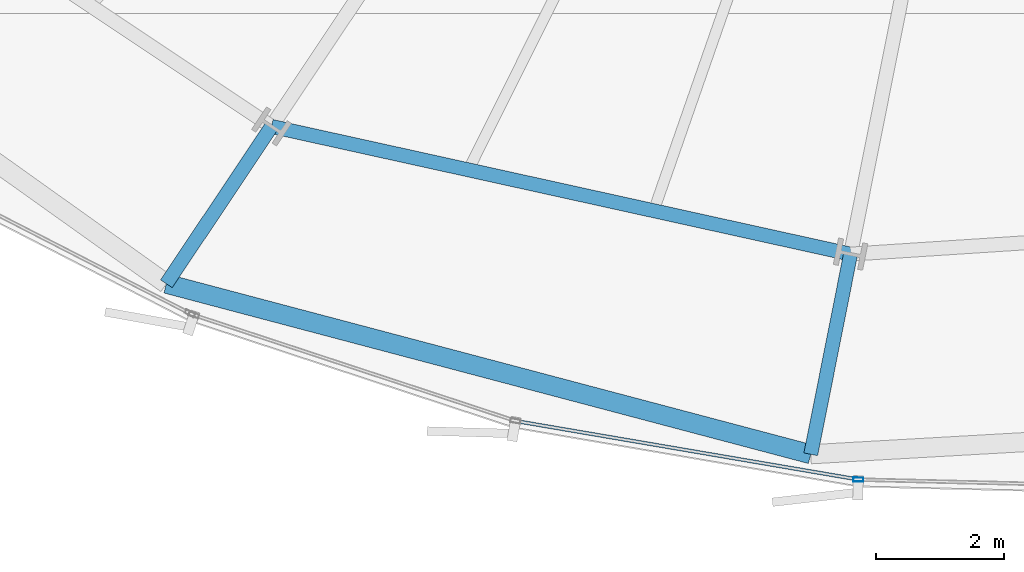
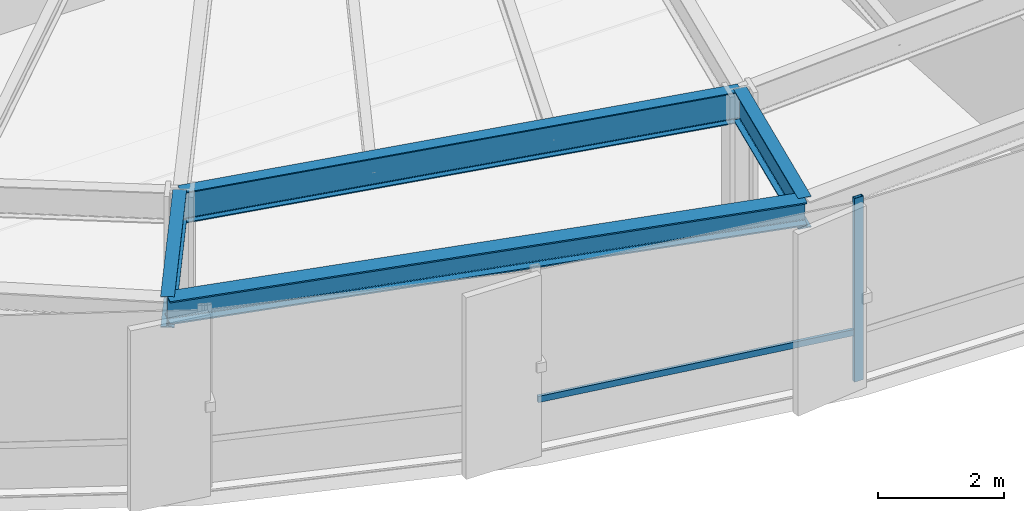
# One storey, part 5 of 39: 4 beams, 2 members, 1 element without a shape of its own.
"""IFC4 building model written with IfcOpenShell, lengths in metres."""

from ifc_helpers import new_model, si_unit, direction, frame, origin, origin_2d, place, context, subcontext, project, spatial, hollow_rectangle, i_section, extrude, source, transform, mapped, material, layer, layer_set, material_profile, profile_set, type_object, element, aggregate, save


model = new_model("IFC4")

# Units and contexts
model_context = context("Model", 3, precision=1e-05, world=origin(), true_north=direction((0.0, 1.0)))
body_context = subcontext(model_context, "Body", "Model", "MODEL_VIEW")
ifc_project = project(units=[si_unit("LENGTHUNIT", "METRE"), si_unit("AREAUNIT", "SQUARE_METRE"), si_unit("VOLUMEUNIT", "CUBIC_METRE"), si_unit("PLANEANGLEUNIT", "RADIAN"), si_unit("MASSUNIT", "GRAM", prefix="KILO"), si_unit("THERMODYNAMICTEMPERATUREUNIT", "KELVIN")], contexts=[model_context])

# Site, building, storey
site_placement = place(None, origin())
site = spatial("IfcSite", under=ifc_project, at=site_placement, CompositionType="ELEMENT")
building_placement = place(site_placement, origin())
building = spatial("IfcBuilding", under=site, at=building_placement, Name="Kethvar Cultural Tower", CompositionType="ELEMENT")
storey_placement = place(building_placement, frame((0.0, 0.0, 41.0)))
storey = spatial("IfcBuildingStorey", under=building, at=storey_placement, Name="L09", CompositionType="ELEMENT", Elevation=41.0)

# Beams
ifc_material_1 = material(Name="Steel S355J2", Category="steel")
ifc_material_profile_1 = material_profile(ifc_material_1, i_section(OverallWidth=0.219970703125, OverallDepth=0.60009765625, WebThickness=0.011962890625, FlangeThickness=0.01904296875, FilletRadius=0.02392578125, at=origin_2d()), Name="Steel S355J2 — IPE600")
ifc_profile_set_1 = profile_set([ifc_material_profile_1], Name="Steel S355J2 — IPE600")
beam_type_1 = type_object("IfcBeamType", Name="BM-IPE600", PredefinedType="BEAM", material=ifc_profile_set_1)
shared_shape_1 = source(origin(), body_context, "Body", "SweptSolid", [
    extrude(i_section(OverallWidth=0.219970703125, OverallDepth=0.60009765625, WebThickness=0.011962890625, FlangeThickness=0.01904296875, FilletRadius=0.02392578125, at=origin_2d()), origin(), (0.0, 0.0, 1.0), 3.2001953125),
])
beam_1_placement = place(storey_placement, frame((42.38330078125, 5.59619140625, 3.248046875), z_axis=(-0.195074368086, -0.980788453702, 0.0), x_axis=(0.980788453702, -0.195074368086, 0.0)))
element("IfcBeam", 1, at=beam_1_placement, inside=storey, type_object=beam_type_1, Name="L09 Perimeter Cantilever Beam RC-12", PredefinedType="BEAM", context=body_context, shape_type="MappedRepresentation", body=[
    mapped(shared_shape_1, transform((0.0, 0.0, 0.0), scale=1.0)),
])
shared_shape_2 = source(origin(), body_context, "Body", "SweptSolid", [
    extrude(i_section(OverallWidth=0.219970703125, OverallDepth=0.60009765625, WebThickness=0.011962890625, FlangeThickness=0.01904296875, FilletRadius=0.02392578125, at=origin_2d()), origin(), (0.0, 0.0, 1.0), 9.299560546875),
])
beam_2_placement = place(storey_placement, frame((33.302001953125, 7.598876953125, 3.248046875), z_axis=(0.976536034872, -0.21535406334, 0.0), x_axis=(0.21535406334, 0.976536034872, 0.0)))
element("IfcBeam", 2, at=beam_2_placement, inside=storey, type_object=beam_type_1, Name="L09 Column Ring Tie Beam CR-11", PredefinedType="BEAM", context=body_context, shape_type="MappedRepresentation", body=[
    mapped(shared_shape_2, transform((0.0, 0.0, 0.0), scale=1.0)),
])
shared_shape_3 = source(origin(), body_context, "Body", "SweptSolid", [
    extrude(i_section(OverallWidth=0.219970703125, OverallDepth=0.60009765625, WebThickness=0.011962890625, FlangeThickness=0.01904296875, FilletRadius=0.02392578125, at=origin_2d()), origin(), (0.0, 0.0, 1.0), 2.967529296875),
])
beam_3_placement = place(storey_placement, frame((33.302001953125, 7.598876953125, 3.248046875), z_axis=(-0.555592227103, -0.831454915905, 0.0), x_axis=(0.831454915905, -0.555592227103, 0.0)))
element("IfcBeam", 3, at=beam_3_placement, inside=storey, type_object=beam_type_1, Name="L09 Perimeter Cantilever Beam RC-11", PredefinedType="BEAM", context=body_context, shape_type="MappedRepresentation", body=[
    mapped(shared_shape_3, transform((0.0, 0.0, 0.0), scale=1.0)),
])
ifc_material_profile_2 = material_profile(ifc_material_1, i_section(OverallWidth=0.300048828125, OverallDepth=0.449951171875, WebThickness=0.013916015625, FlangeThickness=0.02587890625, FilletRadius=0.027099609375, at=origin_2d()), Name="Steel S355J2 — HEB450")
ifc_profile_set_2 = profile_set([ifc_material_profile_2], Name="Steel S355J2 — HEB450")
beam_type_2 = type_object("IfcBeamType", Name="BM-SP450", PredefinedType="SPANDREL", material=ifc_profile_set_2)
shared_shape_4 = source(origin(), body_context, "Body", "SweptSolid", [
    extrude(i_section(OverallWidth=0.300048828125, OverallDepth=0.449951171875, WebThickness=0.013916015625, FlangeThickness=0.02587890625, FilletRadius=0.027099609375, at=origin_2d()), origin(), (0.0, 0.0, 1.0), 10.45361328125),
])
beam_4_placement = place(storey_placement, frame((31.6533203125, 5.131591796875, 3.322998046875), z_axis=(0.966728163482, -0.255805898935, 0.0), x_axis=(0.255805898935, 0.966728163482, 0.0)))
element("IfcBeam", 4, at=beam_4_placement, inside=storey, type_object=beam_type_2, Name="L09 Perimeter Spandrel Beam SP-11", PredefinedType="SPANDREL", context=body_context, shape_type="MappedRepresentation", body=[
    mapped(shared_shape_4, transform((0.0, 0.0, 0.0), scale=1.0)),
])

# Curtain wall, members
ifc_material_2 = material(Name="Aluminium 6063-T6", Category="aluminium")
ifc_layer = layer(ifc_material_2, 0.179931640625, Name="Aluminium 6063-T6", Category="aluminium")
ifc_layer_set = layer_set([ifc_layer], Name="Aluminium 6063-T6 (180 mm)")
curtain_wall_type = type_object("IfcCurtainWallType", Name="CW-SYS-02-Z1", PredefinedType="NOTDEFINED", material=ifc_layer_set)
curtain_wall_placement = place(storey_placement, origin())
curtain_wall = element("IfcCurtainWall", 5, at=curtain_wall_placement, inside=storey, type_object=curtain_wall_type, Name="L09 Curtain Wall Run 05", PredefinedType="NOTDEFINED")
ifc_material_profile_3 = material_profile(ifc_material_2, hollow_rectangle(XDim=0.06494140625, YDim=0.159912109375, WallThickness=0.0048828125, at=origin_2d()), Name="Aluminium 6063-T6 — RHS160x65x5")
ifc_profile_set_3 = profile_set([ifc_material_profile_3], Name="Aluminium 6063-T6 — RHS160x65x5")
member_type_1 = type_object("IfcMemberType", Name="CW-SYS-02-Z1-MUL", PredefinedType="MULLION", material=ifc_profile_set_3)
shared_shape_5 = source(origin(), body_context, "Body", "SweptSolid", [
    extrude(hollow_rectangle(XDim=0.06494140625, YDim=0.159912109375, WallThickness=0.0048828125, at=origin_2d()), origin(), (0.0, 0.0, 1.0), 3.550048828125),
])
member_1_placement = place(storey_placement, frame((42.50390625, 2.060546875, 0.0), z_axis=(0.0, 0.0, 1.0), x_axis=(0.024484522367, 0.999700209145, 0.0)))
member_1 = element("IfcMember", 6, at=member_1_placement, type_object=member_type_1, Name="CW-L09-R05 Mullion 3", PredefinedType="MULLION", context=body_context, shape_type="MappedRepresentation", body=[
    mapped(shared_shape_5, transform((0.0, 0.0, 0.0), scale=1.0)),
])
ifc_material_profile_4 = material_profile(ifc_material_2, hollow_rectangle(XDim=0.054931640625, YDim=0.1201171875, WallThickness=0.00390625, at=origin_2d()), Name="Aluminium 6063-T6 — RHS120x55x4")
ifc_profile_set_4 = profile_set([ifc_material_profile_4], Name="Aluminium 6063-T6 — RHS120x55x4")
member_type_2 = type_object("IfcMemberType", Name="CW-SYS-02-Z1-TRN", PredefinedType="USERDEFINED", material=ifc_profile_set_4)
shared_shape_6 = source(origin(), body_context, "Body", "SweptSolid", [
    extrude(hollow_rectangle(XDim=0.054931640625, YDim=0.1201171875, WallThickness=0.00390625, at=origin_2d()), origin(), (0.0, 0.0, 1.0), 5.37890625),
])
member_2_placement = place(storey_placement, frame((37.1728515625, 2.9716796875, 0.949951171875), z_axis=(0.985743587052, -0.168254511336, 0.0), x_axis=(0.168254511336, 0.985743587052, 0.0)))
member_2 = element("IfcMember", 7, at=member_2_placement, type_object=member_type_2, Name="CW-L09-R05 Transom 2", ObjectType="TRANSOM", PredefinedType="USERDEFINED", context=body_context, shape_type="MappedRepresentation", body=[
    mapped(shared_shape_6, transform((0.0, 0.0, 0.0), scale=1.0)),
])
aggregate(curtain_wall, [member_1, member_2])

save(model, "model.ifc")
